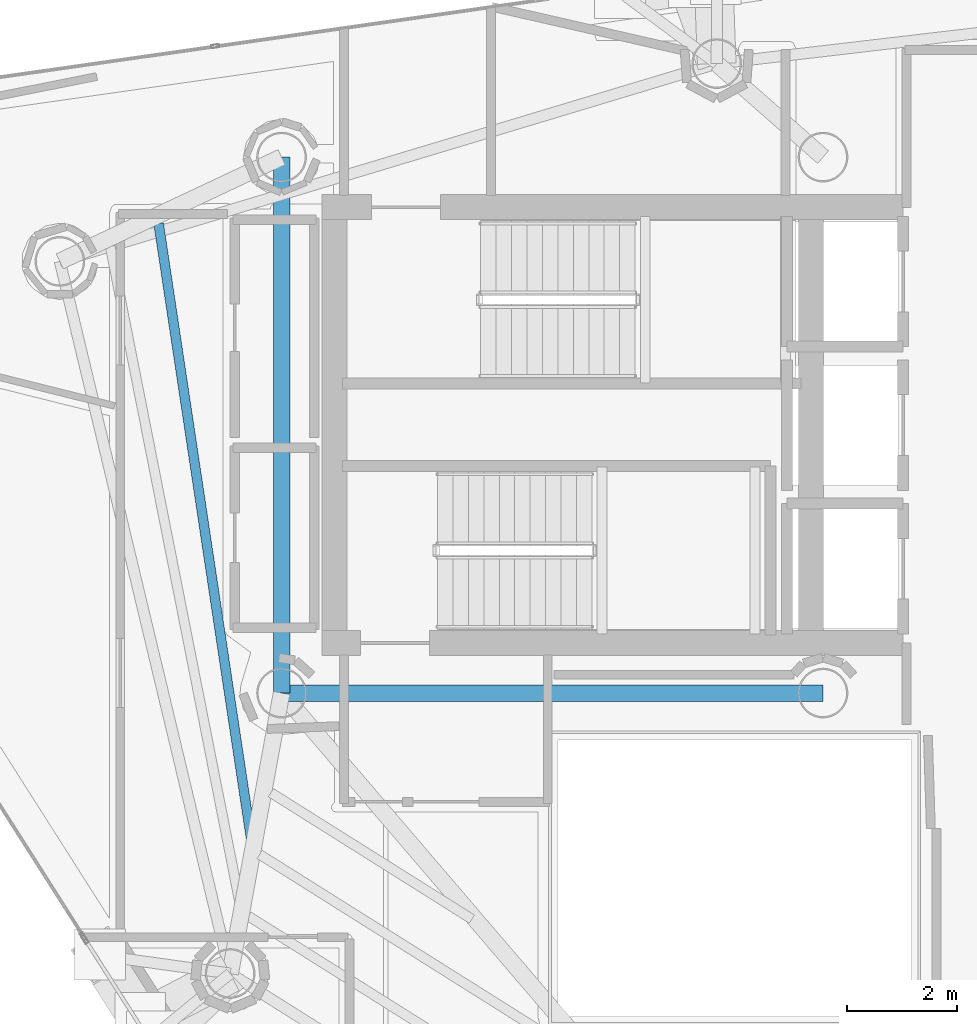
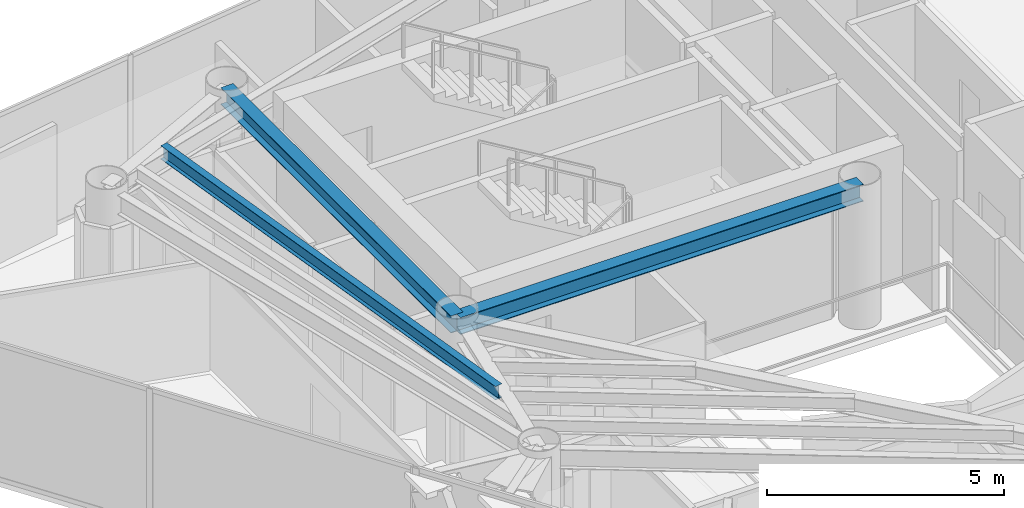
# One storey, part 10 of 25: 3 beams.
"""IFC4 building model written with IfcOpenShell, lengths in metres."""

from ifc_helpers import new_model, si_unit, direction, frame, origin, origin_2d, place, context, subcontext, project, spatial, i_section, extrude, material, material_profile, profile_set, type_object, element, save


model = new_model("IFC4")

# Units and contexts
model_context = context("Model", 3, precision=1e-05, world=origin(), true_north=direction((0.0, 1.0)))
body_context = subcontext(model_context, "Body", "Model", "MODEL_VIEW")
ifc_project = project(units=[si_unit("LENGTHUNIT", "METRE"), si_unit("AREAUNIT", "SQUARE_METRE"), si_unit("VOLUMEUNIT", "CUBIC_METRE"), si_unit("PLANEANGLEUNIT", "RADIAN"), si_unit("MASSUNIT", "GRAM", prefix="KILO")], contexts=[model_context])

# Site, building, storey
site_placement = place(None, origin())
site = spatial("IfcSite", under=ifc_project, at=site_placement, CompositionType="ELEMENT")
building_placement = place(site_placement, origin())
building = spatial("IfcBuilding", under=site, at=building_placement, Name="Qianvela Tower", CompositionType="ELEMENT")
storey_placement = place(building_placement, frame((0.0, 0.0, 295.39990234375)))
storey = spatial("IfcBuildingStorey", under=building, at=storey_placement, Name="L76", CompositionType="ELEMENT", Elevation=295.39990234375)

# Beams
ifc_material_1 = material(Name="Steel Q355B", Category="steel")
ifc_material_profile_1 = material_profile(ifc_material_1, i_section(OverallWidth=0.300048828125, OverallDepth=0.43994140625, WebThickness=0.010986328125, FlangeThickness=0.01806640625, at=origin_2d()), Name="HM440x300x11x18")
ifc_profile_set_1 = profile_set([ifc_material_profile_1], Name="Steel Q355B")
beam_type_1 = type_object("IfcBeamType", Name="BM-HM440-COLL", PredefinedType="BEAM", material=ifc_profile_set_1)
beam_1_placement = place(storey_placement, frame((28.60009765625, 23.85009765625, 3.298095703125), z_axis=(1.0, 0.0, 0.0), x_axis=(0.0, 1.0, 0.0)))
element("IfcBeam", 1, at=beam_1_placement, inside=storey, type_object=beam_type_1, Name="L76 Core Ring Collector Girder CC1", PredefinedType="BEAM", context=body_context, shape_type="SweptSolid", body=[
    extrude(i_section(OverallWidth=0.300048828125, OverallDepth=0.43994140625, WebThickness=0.010986328125, FlangeThickness=0.01806640625, at=origin_2d()), origin(), (0.0, 0.0, 1.0), 9.7998046875),
])
beam_2_placement = place(storey_placement, frame((28.60009765625, 33.550048828125, 3.298095703125), z_axis=(0.0, -1.0, 0.0), x_axis=(1.0, 0.0, 0.0)))
element("IfcBeam", 2, at=beam_2_placement, inside=storey, type_object=beam_type_1, Name="L76 Core Ring Collector Girder CC2", PredefinedType="BEAM", context=body_context, shape_type="SweptSolid", body=[
    extrude(i_section(OverallWidth=0.300048828125, OverallDepth=0.43994140625, WebThickness=0.010986328125, FlangeThickness=0.01806640625, at=origin_2d()), origin(), (0.0, 0.0, 1.0), 9.699951171875),
])
ifc_material_2 = material(Name="Steel Q355B", Category="steel")
ifc_material_profile_2 = material_profile(ifc_material_2, i_section(OverallWidth=0.175048828125, OverallDepth=0.35009765625, WebThickness=0.007080078125, FlangeThickness=0.010986328125, at=origin_2d()), Name="HN350x175x7x11")
ifc_profile_set_2 = profile_set([ifc_material_profile_2], Name="Steel Q355B")
beam_type_2 = type_object("IfcBeamType", Name="BM-HN350-JOIST", PredefinedType="JOIST", material=ifc_profile_set_2)
beam_3_placement = place(storey_placement, frame((26.37451171875, 32.348876953125, 3.343017578125), z_axis=(0.148647266964, -0.988890282096, 0.0), x_axis=(0.988890282096, 0.148647266964, 0.0)))
element("IfcBeam", 3, at=beam_3_placement, inside=storey, type_object=beam_type_2, Name="L76 Secondary Composite Floor Joist 3.2", PredefinedType="JOIST", context=body_context, shape_type="SweptSolid", body=[
    extrude(i_section(OverallWidth=0.175048828125, OverallDepth=0.35009765625, WebThickness=0.007080078125, FlangeThickness=0.010986328125, at=origin_2d()), origin(), (0.0, 0.0, 1.0), 11.32275390625),
])

save(model, "model.ifc")
